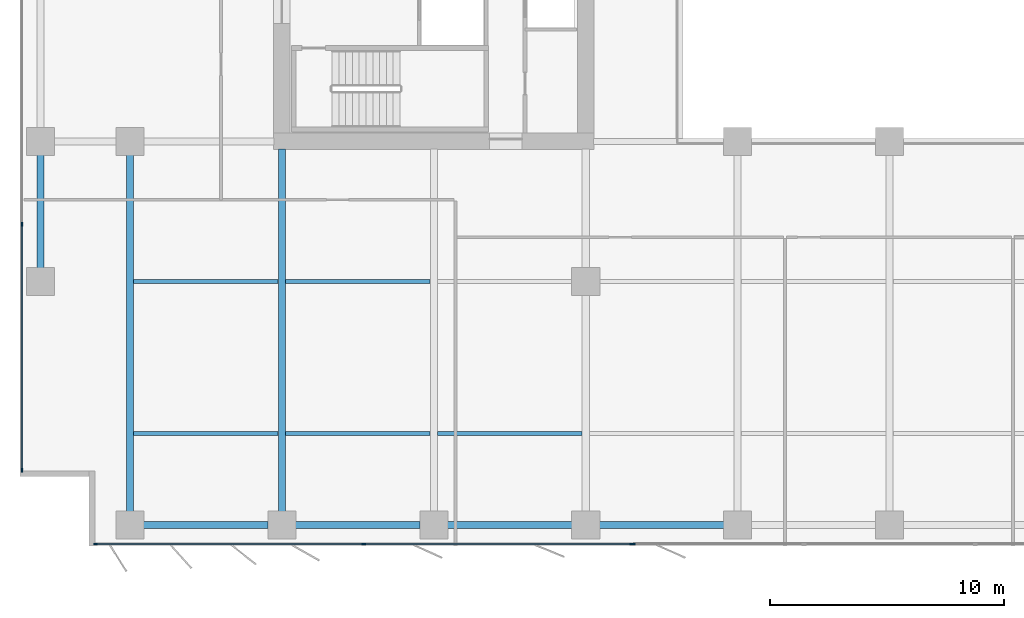
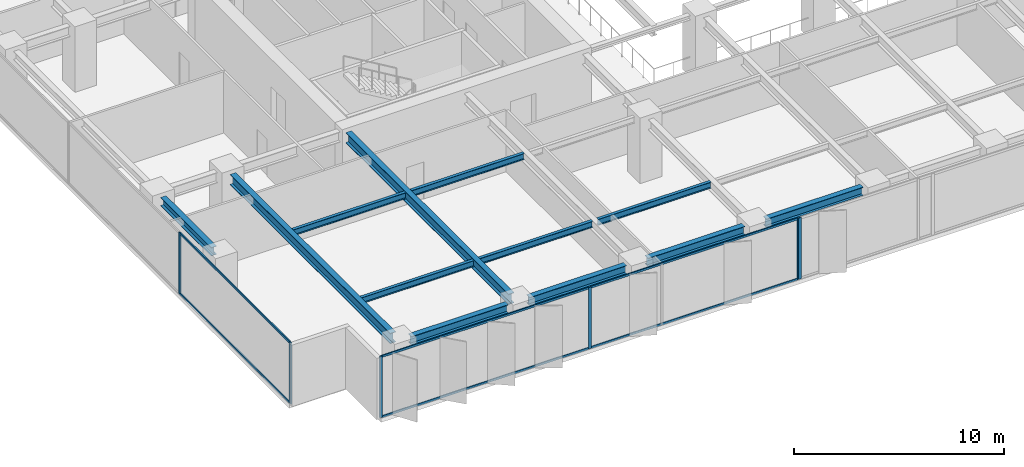
# One storey, part 2 of 20: 12 beams, 12 members, 3 elements without a shape of their own.
"""IFC4 building model written with IfcOpenShell, lengths in metres."""

from ifc_helpers import new_model, si_unit, direction, frame, origin, origin_2d, place, context, subcontext, project, spatial, rectangle, i_section, extrude, material, layer, layer_set, material_profile, profile_set, type_object, element, aggregate, save


model = new_model("IFC4")

# Units and contexts
model_context = context("Model", 3, precision=1e-05, world=origin(), true_north=direction((0.0, 1.0)))
body_context = subcontext(model_context, "Body", "Model", "MODEL_VIEW")
ifc_project = project(units=[si_unit("LENGTHUNIT", "METRE"), si_unit("AREAUNIT", "SQUARE_METRE"), si_unit("VOLUMEUNIT", "CUBIC_METRE"), si_unit("PLANEANGLEUNIT", "RADIAN"), si_unit("MASSUNIT", "GRAM", prefix="KILO")], contexts=[model_context])

# Site, building, storey
site_placement = place(None, origin())
site = spatial("IfcSite", under=ifc_project, at=site_placement, CompositionType="ELEMENT")
building_placement = place(site_placement, origin())
building = spatial("IfcBuilding", under=site, at=building_placement, Name="Putna Gate Headquarters", CompositionType="ELEMENT")
storey_placement = place(building_placement, frame((0.0, 0.0, 112.60009765625)))
storey = spatial("IfcBuildingStorey", under=building, at=storey_placement, Name="L27", CompositionType="ELEMENT", Elevation=112.60009765625)

# Beams
ifc_material_1 = material(Name="Steel S355J2", Category="steel")
ifc_material_profile_1 = material_profile(ifc_material_1, i_section(OverallWidth=0.300048828125, OverallDepth=0.60009765625, WebThickness=0.015380859375, FlangeThickness=0.030029296875, at=origin_2d()), Name="Steel S355J2")
ifc_profile_set_1 = profile_set([ifc_material_profile_1], Name="Steel S355J2")
beam_type_1 = type_object("IfcBeamType", Name="BM-GIRD-Z2-HEB600", PredefinedType="USERDEFINED", material=ifc_profile_set_1)
beam_1_placement = place(storey_placement, frame((6.5, 3.16796875, 3.264892578125), z_axis=(0.0, 1.0, 0.0), x_axis=(-1.0, 0.0, 0.0)))
element("IfcBeam", 1, at=beam_1_placement, inside=storey, type_object=beam_type_1, Name="L27 South Primary Girder X6", ObjectType="GIRDER", PredefinedType="USERDEFINED", context=body_context, shape_type="SweptSolid", body=[
    extrude(i_section(OverallWidth=0.300048828125, OverallDepth=0.60009765625, WebThickness=0.015380859375, FlangeThickness=0.030029296875, at=origin_2d()), origin(), (0.0, 0.0, 1.0), 15.244140625),
])
beam_2_placement = place(storey_placement, frame((13.0, 3.16796875, 3.264892578125), z_axis=(0.0, 1.0, 0.0), x_axis=(-1.0, 0.0, 0.0)))
element("IfcBeam", 2, at=beam_2_placement, inside=storey, type_object=beam_type_1, Name="L27 South Primary Girder X13", ObjectType="GIRDER", PredefinedType="USERDEFINED", context=body_context, shape_type="SweptSolid", body=[
    extrude(i_section(OverallWidth=0.300048828125, OverallDepth=0.60009765625, WebThickness=0.015380859375, FlangeThickness=0.030029296875, at=origin_2d()), origin(), (0.0, 0.0, 1.0), 15.4970703125),
])
ifc_material_profile_2 = material_profile(ifc_material_1, i_section(OverallWidth=0.169921875, OverallDepth=0.360107421875, WebThickness=0.008056640625, FlangeThickness=0.0126953125, at=origin_2d()), Name="Steel S355J2")
ifc_profile_set_2 = profile_set([ifc_material_profile_2], Name="Steel S355J2")
beam_type_2 = type_object("IfcBeamType", Name="BM-SEC-Z2-IPE360", PredefinedType="BEAM", material=ifc_profile_set_2)
for number, where, z_axis, x_axis, name in (
    (3, (6.654052734375, 6.5, 3.385009765625), (1.0, 0.0, 0.0), (0.0, 1.0, 0.0), "L27 South Secondary Beam 1"),
    (4, (6.654052734375, 13.0, 3.385009765625), (1.0, 0.0, 0.0), (0.0, 1.0, 0.0), "L27 South Secondary Beam 1"),
    (5, (13.154052734375, 6.5, 3.385009765625), (1.0, 0.0, 0.0), (0.0, 1.0, 0.0), "L27 South Secondary Beam 2"),
    (6, (13.154052734375, 13.0, 3.385009765625), (1.0, 0.0, 0.0), (0.0, 1.0, 0.0), "L27 South Secondary Beam 2"),
    (7, (19.654052734375, 6.5, 3.385009765625), (1.0, 0.0, 0.0), (0.0, 1.0, 0.0), "L27 South Secondary Beam 3"),
):
    element("IfcBeam", number, at=place(storey_placement, frame(where, z_axis=z_axis, x_axis=x_axis)), inside=storey, type_object=beam_type_2, Name=name, PredefinedType="BEAM", context=body_context, shape_type="SweptSolid", body=[
        extrude(i_section(OverallWidth=0.169921875, OverallDepth=0.360107421875, WebThickness=0.008056640625, FlangeThickness=0.0126953125, at=origin_2d()), origin(), (0.0, 0.0, 1.0), 6.19189453125),
    ])
ifc_material_profile_3 = material_profile(ifc_material_1, i_section(OverallWidth=0.300048828125, OverallDepth=0.489990234375, WebThickness=0.011962890625, FlangeThickness=0.02294921875, at=origin_2d()), Name="Steel S355J2")
ifc_profile_set_3 = profile_set([ifc_material_profile_3], Name="Steel S355J2")
beam_type_3 = type_object("IfcBeamType", Name="BM-SPAN-Z2-HEA500", PredefinedType="SPANDREL", material=ifc_profile_set_3)
for number, where, z_axis, x_axis, name in (
    (8, (7.087890625, 2.580078125, 3.31982421875), (1.0, 0.0, 0.0), (0.0, 1.0, 0.0), "L27 S Perimeter Spandrel 1"),
    (9, (13.587890625, 2.580078125, 3.31982421875), (1.0, 0.0, 0.0), (0.0, 1.0, 0.0), "L27 S Perimeter Spandrel 2"),
    (10, (20.087890625, 2.580078125, 3.31982421875), (1.0, 0.0, 0.0), (0.0, 1.0, 0.0), "L27 S Perimeter Spandrel 3"),
    (11, (26.587890625, 2.580078125, 3.31982421875), (1.0, 0.0, 0.0), (0.0, 1.0, 0.0), "L27 S Perimeter Spandrel 4"),
):
    element("IfcBeam", number, at=place(storey_placement, frame(where, z_axis=z_axis, x_axis=x_axis)), inside=storey, type_object=beam_type_3, Name=name, PredefinedType="SPANDREL", context=body_context, shape_type="SweptSolid", body=[
        extrude(i_section(OverallWidth=0.300048828125, OverallDepth=0.489990234375, WebThickness=0.011962890625, FlangeThickness=0.02294921875, at=origin_2d()), origin(), (0.0, 0.0, 1.0), 5.32421875),
    ])
beam_3_placement = place(storey_placement, frame((2.679931640625, 13.587890625, 3.31982421875), z_axis=(0.0, 1.0, 0.0), x_axis=(-1.0, 0.0, 0.0)))
element("IfcBeam", 12, at=beam_3_placement, inside=storey, type_object=beam_type_3, Name="L27 W End Spandrel 1", PredefinedType="SPANDREL", context=body_context, shape_type="SweptSolid", body=[
    extrude(i_section(OverallWidth=0.300048828125, OverallDepth=0.489990234375, WebThickness=0.011962890625, FlangeThickness=0.02294921875, at=origin_2d()), origin(), (0.0, 0.0, 1.0), 4.82421875),
])

# Curtain wall, members
ifc_material_2 = material(Name="Anodised bronze aluminium curtain wall", Category="aluminium")
ifc_layer_1 = layer(ifc_material_2, 0.159912109375)
ifc_layer_set_1 = layer_set([ifc_layer_1], Name="Anodised bronze aluminium curtain wall")
curtain_wall_type_1 = type_object("IfcCurtainWallType", Name="CW-SYS-Z2", PredefinedType="USERDEFINED", material=ifc_layer_set_1)
curtain_wall_1_placement = place(storey_placement, origin())
curtain_wall_1 = element("IfcCurtainWall", 13, at=curtain_wall_1_placement, inside=storey, type_object=curtain_wall_type_1, Name="L27 South West Curtain Wall", ObjectType="STICK CURTAIN WALL", PredefinedType="USERDEFINED")
ifc_material_3 = material(Name="Anodised bronze aluminium EN AW-6060", Category="aluminium")
ifc_material_profile_4 = material_profile(ifc_material_3, rectangle(XDim=0.06494140625, YDim=0.159912109375, at=origin_2d()), Name="Anodised bronze aluminium EN AW-6060")
ifc_profile_set_4 = profile_set([ifc_material_profile_4], Name="Anodised bronze aluminium EN AW-6060")
member_type_1 = type_object("IfcMemberType", Name="MULL-CWM-2", PredefinedType="MULLION", material=ifc_profile_set_4)
member_1_placement = place(storey_placement, frame((5.032470703125, 1.780029296875, 0.0), z_axis=(0.0, 0.0, 1.0), x_axis=(0.0, 1.0, 0.0)))
member_1 = element("IfcMember", 14, at=member_1_placement, type_object=member_type_1, Name="CWS-2 mullion 1", PredefinedType="MULLION", context=body_context, shape_type="SweptSolid", body=[
    extrude(rectangle(XDim=0.06494140625, YDim=0.159912109375, at=origin_2d()), origin(), (0.0, 0.0, 1.0), 3.56494140625),
])
member_2_placement = place(storey_placement, frame((16.5, 1.780029296875, 0.0), z_axis=(0.0, 0.0, 1.0), x_axis=(0.0, 1.0, 0.0)))
member_2 = element("IfcMember", 15, at=member_2_placement, type_object=member_type_1, Name="CWS-2 mullion 2", PredefinedType="MULLION", context=body_context, shape_type="SweptSolid", body=[
    extrude(rectangle(XDim=0.06494140625, YDim=0.159912109375, at=origin_2d()), origin(), (0.0, 0.0, 1.0), 3.56494140625),
])
member_3_placement = place(storey_placement, frame((27.967529296875, 1.780029296875, 0.0), z_axis=(0.0, 0.0, 1.0), x_axis=(0.0, 1.0, 0.0)))
member_3 = element("IfcMember", 16, at=member_3_placement, type_object=member_type_1, Name="CWS-2 mullion 3", PredefinedType="MULLION", context=body_context, shape_type="SweptSolid", body=[
    extrude(rectangle(XDim=0.06494140625, YDim=0.159912109375, at=origin_2d()), origin(), (0.0, 0.0, 1.0), 3.56494140625),
])

curtain_wall_2_placement = place(storey_placement, origin())
curtain_wall_2 = element("IfcCurtainWall", 17, at=curtain_wall_2_placement, inside=storey, type_object=curtain_wall_type_1, Name="L27 West Curtain Wall", ObjectType="STICK CURTAIN WALL", PredefinedType="USERDEFINED")
member_4_placement = place(storey_placement, frame((1.8798828125, 4.9326171875, 0.0), z_axis=(0.0, 0.0, 1.0), x_axis=(-1.0, 0.0, 0.0)))
member_4 = element("IfcMember", 18, at=member_4_placement, type_object=member_type_1, Name="CWS-2 mullion 1", PredefinedType="MULLION", context=body_context, shape_type="SweptSolid", body=[
    extrude(rectangle(XDim=0.06494140625, YDim=0.159912109375, at=origin_2d()), origin(), (0.0, 0.0, 1.0), 3.56494140625),
])
member_5_placement = place(storey_placement, frame((1.8798828125, 15.449951171875, 0.0), z_axis=(0.0, 0.0, 1.0), x_axis=(-1.0, 0.0, 0.0)))
member_5 = element("IfcMember", 19, at=member_5_placement, type_object=member_type_1, Name="CWS-2 mullion 2", PredefinedType="MULLION", context=body_context, shape_type="SweptSolid", body=[
    extrude(rectangle(XDim=0.06494140625, YDim=0.159912109375, at=origin_2d()), origin(), (0.0, 0.0, 1.0), 3.56494140625),
])

# Curtain wall, member
ifc_layer_2 = layer(ifc_material_2, 0.179931640625)
ifc_layer_set_2 = layer_set([ifc_layer_2], Name="Anodised bronze aluminium curtain wall")
curtain_wall_type_2 = type_object("IfcCurtainWallType", Name="CW-SYS-ATR", PredefinedType="USERDEFINED", material=ifc_layer_set_2)
curtain_wall_3_placement = place(storey_placement, origin())
curtain_wall_3 = element("IfcCurtainWall", 20, at=curtain_wall_3_placement, inside=storey, type_object=curtain_wall_type_2, Name="L27 South Atrium Clear Glazing", ObjectType="ATRIUM GLAZING", PredefinedType="USERDEFINED")
ifc_material_profile_5 = material_profile(ifc_material_3, rectangle(XDim=0.070068359375, YDim=0.179931640625, at=origin_2d()), Name="Anodised bronze aluminium EN AW-6060")
ifc_profile_set_5 = profile_set([ifc_material_profile_5], Name="Anodised bronze aluminium EN AW-6060")
member_type_2 = type_object("IfcMemberType", Name="MULL-CWM-AT", PredefinedType="MULLION", material=ifc_profile_set_5)
member_6_placement = place(storey_placement, frame((28.034912109375, 1.780029296875, 0.0), z_axis=(0.0, 0.0, 1.0), x_axis=(0.0, 1.0, 0.0)))
member_6 = element("IfcMember", 21, at=member_6_placement, type_object=member_type_2, Name="CWS-AT mullion 1", PredefinedType="MULLION", context=body_context, shape_type="SweptSolid", body=[
    extrude(rectangle(XDim=0.070068359375, YDim=0.179931640625, at=origin_2d()), origin(), (0.0, 0.0, 1.0), 3.56494140625),
])
aggregate(curtain_wall_3, [member_6])

# Member
ifc_material_profile_6 = material_profile(ifc_material_3, rectangle(XDim=0.06494140625, YDim=0.1201171875, at=origin_2d()), Name="Anodised bronze aluminium EN AW-6060")
ifc_profile_set_6 = profile_set([ifc_material_profile_6], Name="Anodised bronze aluminium EN AW-6060")
member_type_3 = type_object("IfcMemberType", Name="TRAN-CWT-2", PredefinedType="USERDEFINED", material=ifc_profile_set_6)
member_7_placement = place(storey_placement, frame((5.06494140625, 1.780029296875, 0.032470703125), z_axis=(1.0, 0.0, 0.0), x_axis=(0.0, 1.0, 0.0)))
member_7 = element("IfcMember", 22, at=member_7_placement, type_object=member_type_3, Name="CWS-2 transom 1.1", ObjectType="TRANSOM", PredefinedType="USERDEFINED", context=body_context, shape_type="SweptSolid", body=[
    extrude(rectangle(XDim=0.06494140625, YDim=0.1201171875, at=origin_2d()), origin(), (0.0, 0.0, 1.0), 11.402587890625),
])

member_8_placement = place(storey_placement, frame((5.06494140625, 1.780029296875, 3.532470703125), z_axis=(1.0, 0.0, 0.0), x_axis=(0.0, 1.0, 0.0)))
member_8 = element("IfcMember", 23, at=member_8_placement, type_object=member_type_3, Name="CWS-2 transom 1.2", ObjectType="TRANSOM", PredefinedType="USERDEFINED", context=body_context, shape_type="SweptSolid", body=[
    extrude(rectangle(XDim=0.06494140625, YDim=0.1201171875, at=origin_2d()), origin(), (0.0, 0.0, 1.0), 11.402587890625),
])

member_9_placement = place(storey_placement, frame((16.532470703125, 1.780029296875, 0.032470703125), z_axis=(1.0, 0.0, 0.0), x_axis=(0.0, 1.0, 0.0)))
member_9 = element("IfcMember", 24, at=member_9_placement, type_object=member_type_3, Name="CWS-2 transom 2.1", ObjectType="TRANSOM", PredefinedType="USERDEFINED", context=body_context, shape_type="SweptSolid", body=[
    extrude(rectangle(XDim=0.06494140625, YDim=0.1201171875, at=origin_2d()), origin(), (0.0, 0.0, 1.0), 11.402587890625),
])

member_10_placement = place(storey_placement, frame((16.532470703125, 1.780029296875, 3.532470703125), z_axis=(1.0, 0.0, 0.0), x_axis=(0.0, 1.0, 0.0)))
member_10 = element("IfcMember", 25, at=member_10_placement, type_object=member_type_3, Name="CWS-2 transom 2.2", ObjectType="TRANSOM", PredefinedType="USERDEFINED", context=body_context, shape_type="SweptSolid", body=[
    extrude(rectangle(XDim=0.06494140625, YDim=0.1201171875, at=origin_2d()), origin(), (0.0, 0.0, 1.0), 11.402587890625),
])

aggregate(curtain_wall_1, [member_1, member_2, member_3, member_7, member_8, member_9, member_10])

member_11_placement = place(storey_placement, frame((1.8798828125, 4.965087890625, 0.032470703125), z_axis=(0.0, 1.0, 0.0), x_axis=(-1.0, 0.0, 0.0)))
member_11 = element("IfcMember", 26, at=member_11_placement, type_object=member_type_3, Name="CWS-2 transom 1.1", ObjectType="TRANSOM", PredefinedType="USERDEFINED", context=body_context, shape_type="SweptSolid", body=[
    extrude(rectangle(XDim=0.06494140625, YDim=0.1201171875, at=origin_2d()), origin(), (0.0, 0.0, 1.0), 10.452392578125),
])

member_12_placement = place(storey_placement, frame((1.8798828125, 4.965087890625, 3.532470703125), z_axis=(0.0, 1.0, 0.0), x_axis=(-1.0, 0.0, 0.0)))
member_12 = element("IfcMember", 27, at=member_12_placement, type_object=member_type_3, Name="CWS-2 transom 1.2", ObjectType="TRANSOM", PredefinedType="USERDEFINED", context=body_context, shape_type="SweptSolid", body=[
    extrude(rectangle(XDim=0.06494140625, YDim=0.1201171875, at=origin_2d()), origin(), (0.0, 0.0, 1.0), 10.452392578125),
])

aggregate(curtain_wall_2, [member_4, member_5, member_11, member_12])

save(model, "model.ifc")
